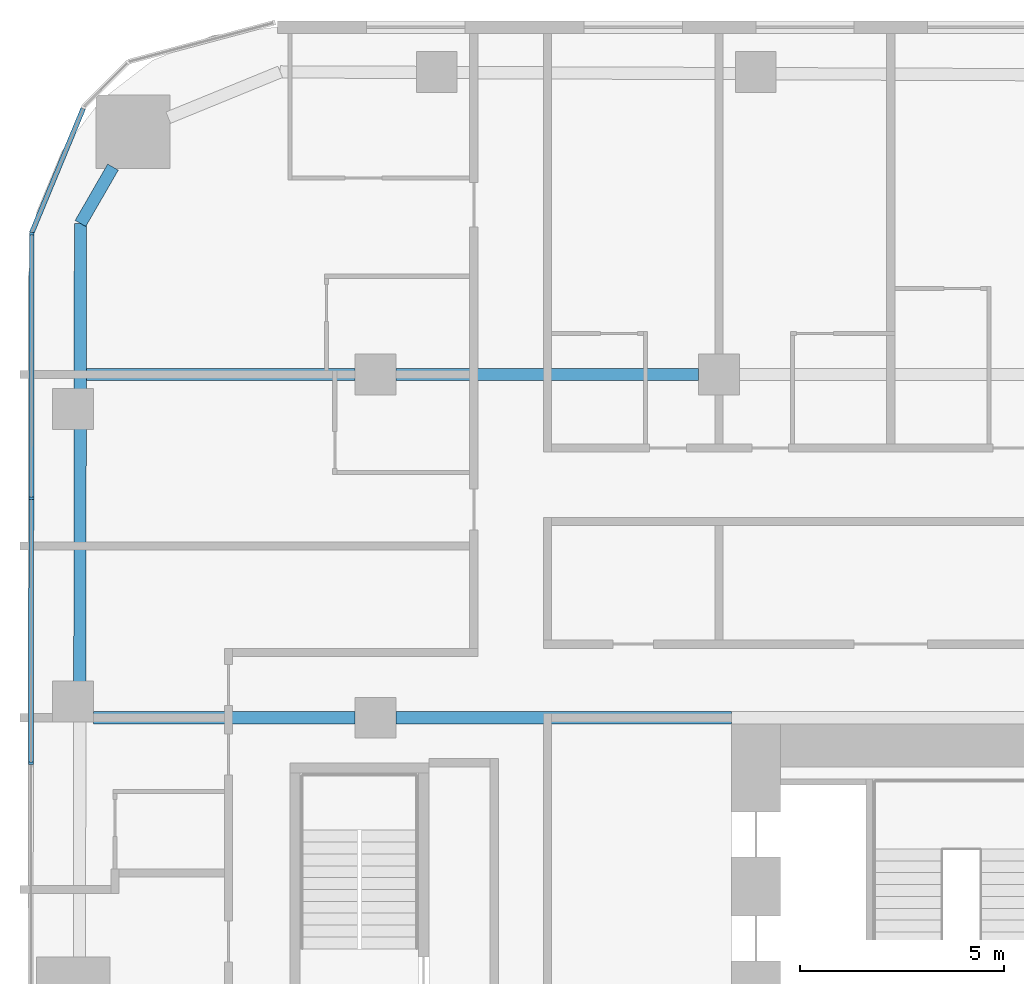
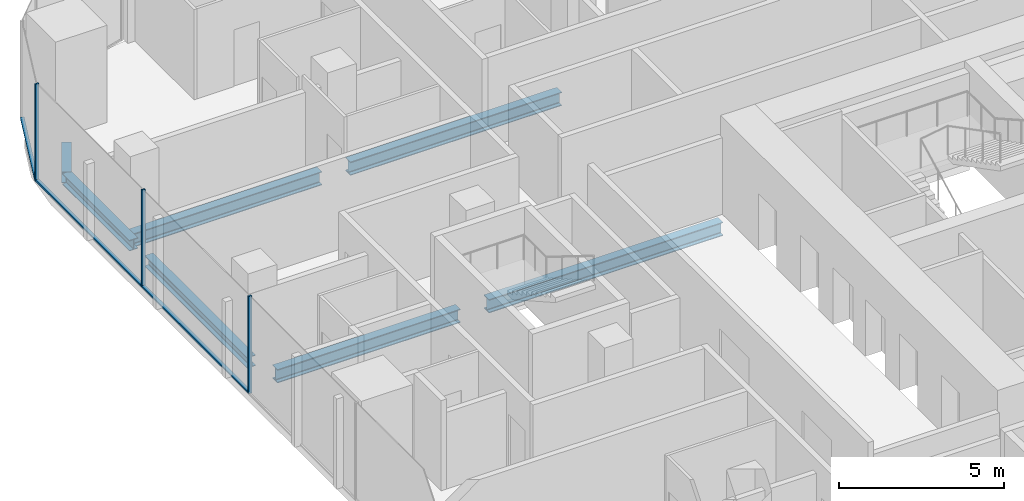
# One storey, part 8 of 26: 7 beams, 6 members, 2 elements without a shape of their own.
"""IFC4 building model written with IfcOpenShell, lengths in metres."""

import ifcopenshell
import ifcopenshell.guid

model = None  # the IFC model being written
_history = None  # IfcOwnerHistory: only IFC2X3 demands one
_inside = {}  # id of a spatial element -> (the spatial element, [elements in it])
_under = {}  # id of a project, library or spatial element -> (it, [spatial elements below it])
_declared = {}  # id of a project -> (the project, [libraries it declares])
_typed = {}  # id of a type object -> (the type object, [elements of that type])
_made_of = {}  # id of a material, layer set ... -> (it, [elements and type objects made of it])


def new_model(schema):
    """Start an empty IFC model of exactly this schema.

    Asked for "IFC4X3", IfcOpenShell would pick the latest addendum, in which some entities
    have other attributes; the version numbers below select the first issue.
    IFC2X3 requires an IfcOwnerHistory on every rooted entity: one is made here for all.
    """
    global model, _history
    if schema == "IFC4X3":
        model = ifcopenshell.file(schema_version=(4, 3, 0, 0))
    else:
        model = ifcopenshell.file(schema=schema)
    _inside.clear()
    _under.clear()
    _declared.clear()
    _typed.clear()
    _made_of.clear()
    _history = None
    if model.schema == "IFC2X3":
        org = make("IfcOrganization", Name="unknown")
        user = make(
            "IfcPersonAndOrganization",
            ThePerson=make("IfcPerson", FamilyName="unknown"),
            TheOrganization=org,
        )
        app = make(
            "IfcApplication",
            ApplicationDeveloper=org,
            Version="unknown",
            ApplicationFullName="unknown",
            ApplicationIdentifier="unknown",
        )
        _history = make(
            "IfcOwnerHistory",
            OwningUser=user,
            OwningApplication=app,
            ChangeAction="ADDED",
            CreationDate=0,
        )
    return model


def make(cls, **values):
    """One entity of the class cls with the attributes given. An attribute that is None is left unset."""
    return model.create_entity(
        cls, **{name: value for name, value in values.items() if value is not None}
    )


def rooted(cls, **values):
    """An entity with a GlobalId (a new one), such as an element, a storey or a relation."""
    return make(cls, GlobalId=ifcopenshell.guid.new(), OwnerHistory=_history, **values)


def si_unit(unit_type, name, prefix=None):
    """IfcSIUnit, for example si_unit("LENGTHUNIT", "METRE", prefix="MILLI")."""
    return make("IfcSIUnit", UnitType=unit_type, Prefix=prefix, Name=name)


def assignment(units):
    """IfcUnitAssignment: the units of a project."""
    return None if units is None else make("IfcUnitAssignment", Units=units)


def point(xyz):
    """IfcCartesianPoint."""
    return None if xyz is None else make("IfcCartesianPoint", Coordinates=xyz)


def direction(xyz):
    """IfcDirection."""
    return None if xyz is None else make("IfcDirection", DirectionRatios=xyz)


def frame(location, z_axis=None, x_axis=None):
    """IfcAxis2Placement3D, a coordinate frame: its origin and axes. An axis left out is left unset."""
    return make(
        "IfcAxis2Placement3D",
        Location=point(location),
        Axis=direction(z_axis),
        RefDirection=direction(x_axis),
    )


def frame_2d(location, x_axis=None):
    """IfcAxis2Placement2D, a coordinate frame in the plane: its origin and x axis."""
    return make(
        "IfcAxis2Placement2D", Location=point(location), RefDirection=direction(x_axis)
    )


def origin():
    """The frame at (0, 0, 0) with its axes left unset."""
    return frame((0.0, 0.0, 0.0))


def origin_2d():
    """The frame at (0, 0) in the plane with its x axis left unset."""
    return frame_2d((0.0, 0.0))


def place(relative_to, where):
    """IfcLocalPlacement: puts the frame where relative to a parent placement (None: the world)."""
    return make(
        "IfcLocalPlacement", PlacementRelTo=relative_to, RelativePlacement=where
    )


def context(
    kind, dimensions, precision=None, world=None, true_north=None, identifier=None
):
    """IfcGeometricRepresentationContext, for example the 3D "Model" context."""
    return make(
        "IfcGeometricRepresentationContext",
        ContextIdentifier=identifier,
        ContextType=kind,
        CoordinateSpaceDimension=dimensions,
        Precision=precision,
        WorldCoordinateSystem=world,
        TrueNorth=true_north,
    )


def subcontext(parent, identifier, kind, view, scale=None):
    """IfcGeometricRepresentationSubContext, for example "Body" below "Model"."""
    return make(
        "IfcGeometricRepresentationSubContext",
        ContextIdentifier=identifier,
        ContextType=kind,
        ParentContext=parent,
        TargetScale=scale,
        TargetView=view,
    )


def project(units=None, contexts=None):
    """IfcProject with its units and contexts."""
    return rooted(
        "IfcProject",
        Name="project",
        RepresentationContexts=contexts,
        UnitsInContext=assignment(units),
    )


def spatial(cls, under=None, at=None, **own):
    """A site, building, storey or space (cls), placed at a placement, below another one or the project."""
    s = rooted(cls, ObjectPlacement=at, **own)
    if under is not None:
        _under.setdefault(under.id(), (under, []))[1].append(s)
    return s


def profile(cls, at=None, kind="AREA", **sizes):
    """A parametric profile (cls). Its sizes go by their IFC names, for example OverallWidth=200.0."""
    return make(cls, ProfileType=kind, Position=at, **sizes)


def rectangle(**sizes):
    """IfcRectangleProfileDef."""
    return profile("IfcRectangleProfileDef", **sizes)


def i_section(**sizes):
    """IfcIShapeProfileDef."""
    return profile("IfcIShapeProfileDef", **sizes)


def extrude(swept, where, along, depth):
    """IfcExtrudedAreaSolid: the profile swept, set in the frame where, extruded along a direction by depth."""
    return make(
        "IfcExtrudedAreaSolid",
        SweptArea=swept,
        Position=where,
        ExtrudedDirection=direction(along),
        Depth=depth,
    )


def shape(context_of_items, identifier, shape_type, items):
    """IfcShapeRepresentation: the items that make up one representation, for example the "Body"."""
    return make(
        "IfcShapeRepresentation",
        ContextOfItems=context_of_items,
        RepresentationIdentifier=identifier,
        RepresentationType=shape_type,
        Items=items,
    )


def material(Name=None, Category=None):
    """IfcMaterial."""
    return make("IfcMaterial", Name=Name, Category=Category)


def layer(
    of_material, thickness, ventilated=None, Name=None, Category=None, Priority=None
):
    """IfcMaterialLayer: one layer of a wall or slab, of a material (None: an air gap)."""
    return make(
        "IfcMaterialLayer",
        Material=of_material,
        LayerThickness=thickness,
        IsVentilated=ventilated,
        Name=Name,
        Category=Category,
        Priority=Priority,
    )


def layer_set(layers, Name=None):
    """IfcMaterialLayerSet."""
    return make("IfcMaterialLayerSet", MaterialLayers=layers, LayerSetName=Name)


def material_profile(
    of_material, cross_section, Name=None, Category=None, Priority=None
):
    """IfcMaterialProfile: a cross section and its material."""
    return make(
        "IfcMaterialProfile",
        Name=Name,
        Material=of_material,
        Profile=cross_section,
        Priority=Priority,
        Category=Category,
    )


def profile_set(profiles, Name=None, composite=None):
    """IfcMaterialProfileSet."""
    return make(
        "IfcMaterialProfileSet",
        Name=Name,
        MaterialProfiles=profiles,
        CompositeProfile=composite,
    )


def made_of(thing, what):
    """Note that an element or type object is made of a material, layer set ...; save() writes the relation."""
    if what is not None:
        _made_of.setdefault(what.id(), (what, []))[1].append(thing)
    return thing


def type_object(cls, material=None, **own):
    """A type object (cls), such as IfcWallType, which elements share."""
    return made_of(rooted(cls, **own), material)


def element(
    cls,
    number,
    at=None,
    inside=None,
    cuts=None,
    type_object=None,
    material=None,
    context=None,
    identifier="Body",
    shape_type=None,
    held_by="IfcProductDefinitionShape",
    body=None,
    shapes=None,
    **own,
):
    """One element of the class cls, such as IfcWall. Its Tag is "e" and its number.

    at: its placement. inside: the storey or other place that contains it. cuts: it is an
    opening in that element (IfcRelVoidsElement). A single representation is given by context,
    identifier, shape_type and body (its items); several are given by shapes. held_by: the class
    of the entity that holds the representations. save() writes the other relations.
    """
    e = rooted(cls, Tag="e%d" % number, ObjectPlacement=at, **own)
    if body is not None:
        shapes = [shape(context, identifier, shape_type, body)]
    if shapes is not None:
        e.Representation = make(held_by, Representations=shapes)
    if inside is not None:
        _inside.setdefault(inside.id(), (inside, []))[1].append(e)
    if cuts is not None:
        rooted(
            "IfcRelVoidsElement", RelatingBuildingElement=cuts, RelatedOpeningElement=e
        )
    if type_object is not None:
        _typed.setdefault(type_object.id(), (type_object, []))[1].append(e)
    return made_of(e, material)


def aggregate(whole, parts):
    """IfcRelAggregates: a whole, such as a stair, and the parts it consists of."""
    return rooted("IfcRelAggregates", RelatingObject=whole, RelatedObjects=parts)


def save(model, path):
    """Write the relations noted so far, then the file.

    IfcRelAggregates (storeys below a building ...), IfcRelContainedInSpatialStructure (elements
    in a storey), IfcRelDefinesByType, IfcRelAssociatesMaterial and IfcRelDeclares: one each for
    every whole, place, type object, material and project.
    """
    for whole, parts in _under.values():
        aggregate(whole, parts)
    for where, things in _inside.values():
        rooted(
            "IfcRelContainedInSpatialStructure",
            RelatedElements=things,
            RelatingStructure=where,
        )
    for kind, things in _typed.values():
        rooted("IfcRelDefinesByType", RelatedObjects=things, RelatingType=kind)
    for what, things in _made_of.values():
        rooted("IfcRelAssociatesMaterial", RelatedObjects=things, RelatingMaterial=what)
    for by, libraries in _declared.values():
        rooted("IfcRelDeclares", RelatingContext=by, RelatedDefinitions=libraries)
    model.write(path)


model = new_model("IFC4")

# Units and contexts
model_context = context("Model", 3, precision=1e-05, world=origin(), true_north=direction((0.0, 1.0)))
body_context = subcontext(model_context, "Body", "Model", "MODEL_VIEW")
ifc_project = project(units=[si_unit("LENGTHUNIT", "METRE"), si_unit("AREAUNIT", "SQUARE_METRE"), si_unit("VOLUMEUNIT", "CUBIC_METRE"), si_unit("PLANEANGLEUNIT", "RADIAN"), si_unit("MASSUNIT", "GRAM", prefix="KILO")], contexts=[model_context])

# Site, building, storey
site_placement = place(None, origin())
site = spatial("IfcSite", under=ifc_project, at=site_placement, CompositionType="ELEMENT")
building_placement = place(site_placement, origin())
building = spatial("IfcBuilding", under=site, at=building_placement, Name="Marenta Gate Hotel Tower", CompositionType="ELEMENT")
storey_placement = place(building_placement, frame((0.0, 0.0, 43.699951171875)))
storey = spatial("IfcBuildingStorey", under=building, at=storey_placement, Name="L08", CompositionType="ELEMENT", Elevation=43.699951171875)

# Beams
ifc_material_1 = material(Name="Steel S355", Category="steel")
ifc_material_profile_1 = material_profile(ifc_material_1, i_section(OverallWidth=0.300048828125, OverallDepth=0.39990234375, WebThickness=0.013427734375, FlangeThickness=0.02392578125, FilletRadius=0.027099609375, at=origin_2d()), Name="HEB 400")
ifc_profile_set_1 = profile_set([ifc_material_profile_1], Name="Steel S355")
beam_type_1 = type_object("IfcBeamType", Name="Edge beam HEB 400", PredefinedType="SPANDREL", material=ifc_profile_set_1)
beam_1_placement = place(storey_placement, frame((-28.23681640625, 17.6630859375, -0.4599609375), z_axis=(0.001370827476, 0.999999060416, 0.0), x_axis=(-0.999999060416, 0.001370827476, 0.0)))
element("IfcBeam", 1, at=beam_1_placement, inside=storey, type_object=beam_type_1, Name="L08-EB-9", PredefinedType="SPANDREL", context=body_context, shape_type="SweptSolid", body=[
    extrude(i_section(OverallWidth=0.300048828125, OverallDepth=0.39990234375, WebThickness=0.013427734375, FlangeThickness=0.02392578125, FilletRadius=0.027099609375, at=origin_2d()), origin(), (0.0, 0.0, 1.0), 6.2333984375),
])
beam_2_placement = place(storey_placement, frame((-28.22705078125, 24.81640625, -0.4599609375), z_axis=(0.001377821732, 0.999999050803, 0.0), x_axis=(-0.999999050803, 0.001377821732, 0.0)))
element("IfcBeam", 2, at=beam_2_placement, inside=storey, type_object=beam_type_1, Name="L08-EB-10", PredefinedType="SPANDREL", context=body_context, shape_type="SweptSolid", body=[
    extrude(i_section(OverallWidth=0.300048828125, OverallDepth=0.39990234375, WebThickness=0.013427734375, FlangeThickness=0.02392578125, FilletRadius=0.027099609375, at=origin_2d()), origin(), (0.0, 0.0, 1.0), 4.075439453125),
])
beam_3_placement = place(storey_placement, frame((-28.221435546875, 28.891845703125, -0.4599609375), z_axis=(0.500098681536, 0.865968422476, 0.0), x_axis=(-0.865968422476, 0.500098681536, 0.0)))
element("IfcBeam", 3, at=beam_3_placement, inside=storey, type_object=beam_type_1, Name="L08-EB-11", PredefinedType="SPANDREL", context=body_context, shape_type="SweptSolid", body=[
    extrude(i_section(OverallWidth=0.300048828125, OverallDepth=0.39990234375, WebThickness=0.013427734375, FlangeThickness=0.02392578125, FilletRadius=0.027099609375, at=origin_2d()), origin(), (0.0, 0.0, 1.0), 1.591552734375),
])
ifc_material_2 = material(Name="Steel S355", Category="steel")
ifc_material_profile_2 = material_profile(ifc_material_2, i_section(OverallWidth=0.300048828125, OverallDepth=0.5, WebThickness=0.014404296875, FlangeThickness=0.028076171875, FilletRadius=0.027099609375, at=origin_2d()), Name="HEB 500")
ifc_profile_set_2 = profile_set([ifc_material_profile_2], Name="Steel S355")
beam_type_2 = type_object("IfcBeamType", Name="Girder HEB 500", PredefinedType="BEAM", material=ifc_profile_set_2)
beam_4_placement = place(storey_placement, frame((-27.89990234375, 16.800048828125, -0.510009765625), z_axis=(1.0, 0.0, 0.0), x_axis=(0.0, 1.0, 0.0)))
element("IfcBeam", 4, at=beam_4_placement, inside=storey, type_object=beam_type_2, Name="L08-GD-17", PredefinedType="BEAM", context=body_context, shape_type="SweptSolid", body=[
    extrude(i_section(OverallWidth=0.300048828125, OverallDepth=0.5, WebThickness=0.014404296875, FlangeThickness=0.028076171875, FilletRadius=0.027099609375, at=origin_2d()), origin(), (0.0, 0.0, 1.0), 6.39990234375),
])
beam_5_placement = place(storey_placement, frame((-20.5, 16.800048828125, -0.510009765625), z_axis=(1.0, 0.0, 0.0), x_axis=(0.0, 1.0, 0.0)))
element("IfcBeam", 5, at=beam_5_placement, inside=storey, type_object=beam_type_2, Name="L08-GD-18", PredefinedType="BEAM", context=body_context, shape_type="SweptSolid", body=[
    extrude(i_section(OverallWidth=0.300048828125, OverallDepth=0.5, WebThickness=0.014404296875, FlangeThickness=0.028076171875, FilletRadius=0.027099609375, at=origin_2d()), origin(), (0.0, 0.0, 1.0), 8.199951171875),
])
beam_6_placement = place(storey_placement, frame((-28.076416015625, 25.199951171875, -0.510009765625), z_axis=(1.0, 0.0, 0.0), x_axis=(0.0, 1.0, 0.0)))
element("IfcBeam", 6, at=beam_6_placement, inside=storey, type_object=beam_type_2, Name="L08-GD-22", PredefinedType="BEAM", context=body_context, shape_type="SweptSolid", body=[
    extrude(i_section(OverallWidth=0.300048828125, OverallDepth=0.5, WebThickness=0.014404296875, FlangeThickness=0.028076171875, FilletRadius=0.027099609375, at=origin_2d()), origin(), (0.0, 0.0, 1.0), 6.576416015625),
])
beam_7_placement = place(storey_placement, frame((-20.5, 25.199951171875, -0.510009765625), z_axis=(1.0, 0.0, 0.0), x_axis=(0.0, 1.0, 0.0)))
element("IfcBeam", 7, at=beam_7_placement, inside=storey, type_object=beam_type_2, Name="L08-GD-23", PredefinedType="BEAM", context=body_context, shape_type="SweptSolid", body=[
    extrude(i_section(OverallWidth=0.300048828125, OverallDepth=0.5, WebThickness=0.014404296875, FlangeThickness=0.028076171875, FilletRadius=0.027099609375, at=origin_2d()), origin(), (0.0, 0.0, 1.0), 7.39990234375),
])

# Curtain wall, members
ifc_material_3 = material(Name="Tinted insulated glass in bronze anodised frame", Category="glass")
ifc_layer = layer(ifc_material_3, 0.1201171875)
ifc_layer_set = layer_set([ifc_layer], Name="Tinted insulated glass in bronze anodised frame")
curtain_wall_type = type_object("IfcCurtainWallType", Name="Tower unitised curtain wall CW1", PredefinedType="NOTDEFINED", material=ifc_layer_set)
curtain_wall_1_placement = place(storey_placement, origin())
curtain_wall_1 = element("IfcCurtainWall", 8, at=curtain_wall_1_placement, inside=storey, type_object=curtain_wall_type, Name="CW1 run G03", PredefinedType="NOTDEFINED")
ifc_material_4 = material(Name="Bronze anodised aluminium", Category="aluminium")
ifc_material_profile_3 = material_profile(ifc_material_4, rectangle(XDim=0.1201171875, YDim=0.06005859375, at=origin_2d()), Name="Mullion CW1 60x120 bronze anodised aluminium")
ifc_profile_set_3 = profile_set([ifc_material_profile_3], Name="Bronze anodised aluminium")
member_type_1 = type_object("IfcMemberType", Name="Mullion CW1 60x120 bronze anodised aluminium", PredefinedType="MULLION", material=ifc_profile_set_3)
member_1_placement = place(storey_placement, frame((-29.412353515625, 28.63623046875, 0.0), z_axis=(0.0, 0.0, 1.0), x_axis=(0.99999877316, -0.00156642217, 0.0)))
member_1 = element("IfcMember", 9, at=member_1_placement, type_object=member_type_1, Name="CW1 mullion 1", PredefinedType="MULLION", context=body_context, shape_type="SweptSolid", body=[
    extrude(rectangle(XDim=0.1201171875, YDim=0.06005859375, at=origin_2d()), origin(), (0.0, 0.0, 1.0), 3.60009765625),
])
member_2_placement = place(storey_placement, frame((-29.42236328125, 22.17578125, 0.0), z_axis=(0.0, 0.0, 1.0), x_axis=(0.99999877316, -0.00156642217, 0.0)))
member_2 = element("IfcMember", 10, at=member_2_placement, type_object=member_type_1, Name="CW1 mullion 2", PredefinedType="MULLION", context=body_context, shape_type="SweptSolid", body=[
    extrude(rectangle(XDim=0.1201171875, YDim=0.06005859375, at=origin_2d()), origin(), (0.0, 0.0, 1.0), 3.60009765625),
])
member_3_placement = place(storey_placement, frame((-29.4326171875, 15.685546875, 0.0), z_axis=(0.0, 0.0, 1.0), x_axis=(0.99999877316, -0.00156642217, 0.0)))
member_3 = element("IfcMember", 11, at=member_3_placement, type_object=member_type_1, Name="CW1 mullion 3", PredefinedType="MULLION", context=body_context, shape_type="SweptSolid", body=[
    extrude(rectangle(XDim=0.1201171875, YDim=0.06005859375, at=origin_2d()), origin(), (0.0, 0.0, 1.0), 3.60009765625),
])

# Curtain wall, member
curtain_wall_2_placement = place(storey_placement, origin())
curtain_wall_2 = element("IfcCurtainWall", 12, at=curtain_wall_2_placement, inside=storey, type_object=curtain_wall_type, Name="CW1 run G02", PredefinedType="NOTDEFINED")
ifc_material_5 = material(Name="Bronze anodised aluminium", Category="aluminium")
ifc_material_profile_4 = material_profile(ifc_material_5, rectangle(XDim=0.1201171875, YDim=0.06005859375, at=origin_2d()), Name="Transom CW1 60x120 bronze anodised aluminium")
ifc_profile_set_4 = profile_set([ifc_material_profile_4], Name="Bronze anodised aluminium")
member_type_2 = type_object("IfcMemberType", Name="Transom CW1 60x120 bronze anodised aluminium", PredefinedType="USERDEFINED", material=ifc_profile_set_4)
member_4_placement = place(storey_placement, frame((-28.15380859375, 31.704345703125, 0.030029296875), z_axis=(-0.382716791654, -0.923865713936, 0.0), x_axis=(0.923865713936, -0.382716791654, 0.0)))
member_4 = element("IfcMember", 13, at=member_4_placement, type_object=member_type_2, Name="CW1 transom 1.1", ObjectType="TRANSOM", PredefinedType="USERDEFINED", context=body_context, shape_type="SweptSolid", body=[
    extrude(rectangle(XDim=0.1201171875, YDim=0.06005859375, at=origin_2d()), origin(), (0.0, 0.0, 1.0), 3.288330078125),
])
aggregate(curtain_wall_2, [member_4])

# Member
member_5_placement = place(storey_placement, frame((-29.412353515625, 28.606201171875, 0.030029296875), z_axis=(-0.001563928512, -0.999998777063, 0.0), x_axis=(0.999998777063, -0.001563928512, 0.0)))
member_5 = element("IfcMember", 14, at=member_5_placement, type_object=member_type_2, Name="CW1 transom 1.1", ObjectType="TRANSOM", PredefinedType="USERDEFINED", context=body_context, shape_type="SweptSolid", body=[
    extrude(rectangle(XDim=0.1201171875, YDim=0.06005859375, at=origin_2d()), origin(), (0.0, 0.0, 1.0), 6.400390625),
])

member_6_placement = place(storey_placement, frame((-29.422607421875, 22.145751953125, 0.030029296875), z_axis=(-0.001556684271, -0.999998788366, 0.0), x_axis=(0.999998788366, -0.001556684271, 0.0)))
member_6 = element("IfcMember", 15, at=member_6_placement, type_object=member_type_2, Name="CW1 transom 2.1", ObjectType="TRANSOM", PredefinedType="USERDEFINED", context=body_context, shape_type="SweptSolid", body=[
    extrude(rectangle(XDim=0.1201171875, YDim=0.06005859375, at=origin_2d()), origin(), (0.0, 0.0, 1.0), 6.43017578125),
])

aggregate(curtain_wall_1, [member_1, member_2, member_3, member_5, member_6])

save(model, "model.ifc")
